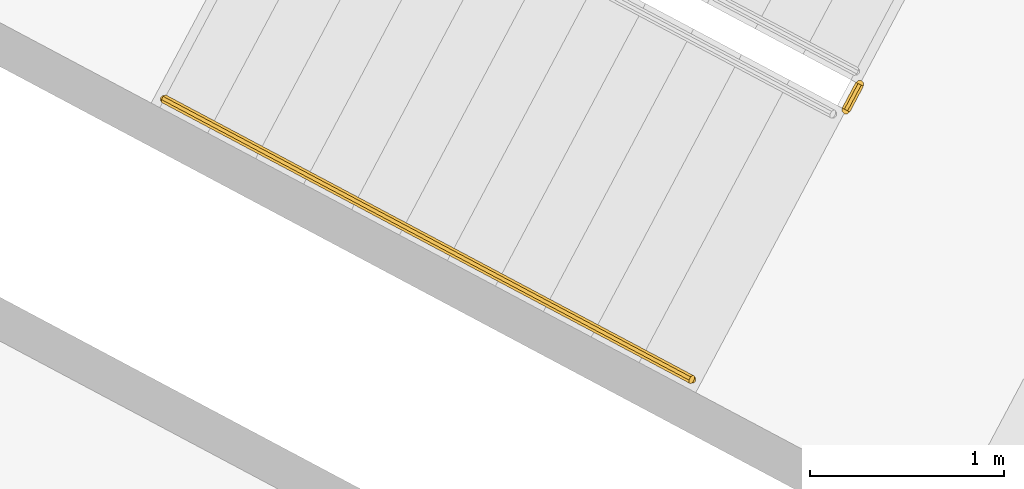
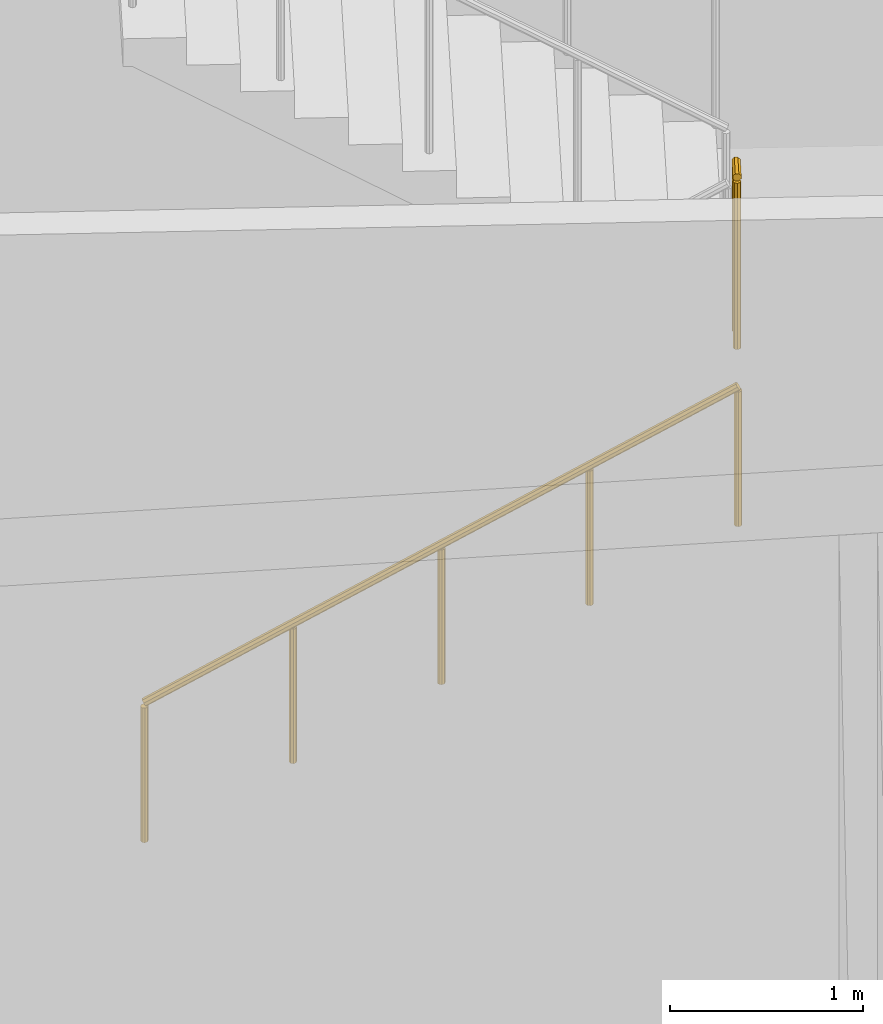
# One storey, part 13 of 16: 2 railings.
"""IFC4 building model written with IfcOpenShell, lengths in metres."""

from ifc_helpers import new_model, si_unit, direction, frame, origin, place, context, subcontext, project, spatial, polyline, outline, extrude, material, type_object, element, save


model = new_model("IFC4")

# Units and contexts
model_context = context("Model", 3, precision=1e-05, world=origin(), true_north=direction((0.0, 1.0)))
body_context = subcontext(model_context, "Body", "Model", "MODEL_VIEW")
ifc_project = project(units=[si_unit("LENGTHUNIT", "METRE"), si_unit("AREAUNIT", "SQUARE_METRE"), si_unit("VOLUMEUNIT", "CUBIC_METRE"), si_unit("PLANEANGLEUNIT", "RADIAN"), si_unit("MASSUNIT", "GRAM", prefix="KILO")], contexts=[model_context])

# Site, building, storey
site_placement = place(None, origin())
site = spatial("IfcSite", under=ifc_project, at=site_placement, CompositionType="ELEMENT")
building_placement = place(site_placement, origin())
building = spatial("IfcBuilding", under=site, at=building_placement, Name="Cormorant Relay Tower", CompositionType="ELEMENT")
storey_placement = place(building_placement, frame((0.0, 0.0, 340.800048828125)))
storey = spatial("IfcBuildingStorey", under=building, at=storey_placement, Name="C4", CompositionType="ELEMENT", Elevation=340.800048828125)

# Railings
ifc_material_1 = material(Name="Steel ASTM A572 Grade 50 (Fy 345 MPa)", Category="steel")
railing_type_1 = type_object("IfcRailingType", Name="Stair guard 1100", PredefinedType="GUARDRAIL", material=ifc_material_1)
railing_1_placement = place(storey_placement, frame((-17.96337890625, 17.592529296875, 2.099853515625)))
element("IfcRailing", 1, at=railing_1_placement, inside=storey, type_object=railing_type_1, Name="C4 A1 stair guard 2", PredefinedType="GUARDRAIL", context=body_context, shape_type="SweptSolid", body=[
    extrude(outline(polyline([(0.022216796875, 0.00927734375), (0.00927734375, 0.022216796875), (-0.00927734375, 0.022216796875), (-0.022216796875, 0.00927734375), (-0.022216796875, -0.00927734375), (-0.00927734375, -0.022216796875), (0.00927734375, -0.022216796875), (0.022216796875, -0.00927734375), (0.022216796875, 0.00927734375)])), frame((0.0, 0.0, 1.076171875), z_axis=(0.46856034887, 0.8834314911, 0.0), x_axis=(-0.8834314911, 0.46856034887, 0.0)), (0.0, 0.0, 1.0), 0.150146484375),
    extrude(outline(polyline([(0.019287109375, 0.008056640625), (0.008056640625, 0.019287109375), (-0.008056640625, 0.019287109375), (-0.019287109375, 0.008056640625), (-0.019287109375, -0.008056640625), (-0.008056640625, -0.019287109375), (0.008056640625, -0.019287109375), (0.019287109375, -0.008056640625), (0.019287109375, 0.008056640625)])), origin(), (0.0, 0.0, 1.0), 1.052001953125),
    extrude(outline(polyline([(0.019287109375, 0.008056640625), (0.008056640625, 0.019287109375), (-0.008056640625, 0.019287109375), (-0.019287109375, 0.008056640625), (-0.019287109375, -0.008056640625), (-0.008056640625, -0.019287109375), (0.008056640625, -0.019287109375), (0.019287109375, -0.008056640625), (0.019287109375, 0.008056640625)])), frame((0.0703125, 0.132568359375, 0.0)), (0.0, 0.0, 1.0), 1.052001953125),
])
ifc_material_2 = material(Name="Steel ASTM A572 Grade 50 (Fy 345 MPa)", Category="steel")
railing_type_2 = type_object("IfcRailingType", Name="Stair handrail 900", PredefinedType="HANDRAIL", material=ifc_material_2)
railing_2_placement = place(storey_placement, frame((-21.478271484375, 17.6494140625, 0.175048828125)))
element("IfcRailing", 2, at=railing_2_placement, inside=storey, type_object=railing_type_2, Name="C4 A1 stair handrail 1", PredefinedType="HANDRAIL", context=body_context, shape_type="SweptSolid", body=[
    extrude(outline(polyline([(0.022216796875, 0.00927734375), (0.00927734375, 0.022216796875), (-0.00927734375, 0.022216796875), (-0.022216796875, 0.00927734375), (-0.022216796875, -0.00927734375), (-0.00927734375, -0.022216796875), (0.00927734375, -0.022216796875), (0.022216796875, -0.00927734375), (0.022216796875, 0.00927734375)])), frame((0.0, 0.0, 0.8759765625), z_axis=(0.748753913104, -0.39813891977, 0.529955637931), x_axis=(0.469489399267, 0.882938108802, 0.0)), (0.0, 0.0, 1.0), 3.632080078125),
    extrude(outline(polyline([(0.019287109375, 0.008056640625), (0.008056640625, 0.019287109375), (-0.008056640625, 0.019287109375), (-0.019287109375, 0.008056640625), (-0.019287109375, -0.008056640625), (-0.008056640625, -0.019287109375), (0.008056640625, -0.019287109375), (0.019287109375, -0.008056640625), (0.019287109375, 0.008056640625)])), origin(), (0.0, 0.0, 1.0), 0.851806640625),
    extrude(outline(polyline([(0.019287109375, 0.008056640625), (0.008056640625, 0.019287109375), (-0.008056640625, 0.019287109375), (-0.019287109375, 0.008056640625), (-0.019287109375, -0.008056640625), (-0.008056640625, -0.019287109375), (0.008056640625, -0.019287109375), (0.019287109375, -0.008056640625), (0.019287109375, 0.008056640625)])), frame((0.679931640625, -0.361572265625, 0.481201171875)), (0.0, 0.0, 1.0), 0.851806640625),
    extrude(outline(polyline([(0.019287109375, 0.008056640625), (0.008056640625, 0.019287109375), (-0.008056640625, 0.019287109375), (-0.019287109375, 0.008056640625), (-0.019287109375, -0.008056640625), (-0.008056640625, -0.019287109375), (0.008056640625, -0.019287109375), (0.019287109375, -0.008056640625), (0.019287109375, 0.008056640625)])), frame((1.35986328125, -0.72314453125, 0.96240234375)), (0.0, 0.0, 1.0), 0.851806640625),
    extrude(outline(polyline([(0.019287109375, 0.008056640625), (0.008056640625, 0.019287109375), (-0.008056640625, 0.019287109375), (-0.019287109375, 0.008056640625), (-0.019287109375, -0.008056640625), (-0.008056640625, -0.019287109375), (0.008056640625, -0.019287109375), (0.019287109375, -0.008056640625), (0.019287109375, 0.008056640625)])), frame((2.03955078125, -1.08447265625, 1.443603515625)), (0.0, 0.0, 1.0), 0.851806640625),
    extrude(outline(polyline([(0.019287109375, 0.008056640625), (0.008056640625, 0.019287109375), (-0.008056640625, 0.019287109375), (-0.019287109375, 0.008056640625), (-0.019287109375, -0.008056640625), (-0.008056640625, -0.019287109375), (0.008056640625, -0.019287109375), (0.019287109375, -0.008056640625), (0.019287109375, 0.008056640625)])), frame((2.719482421875, -1.446044921875, 1.9248046875)), (0.0, 0.0, 1.0), 0.851806640625),
])

save(model, "model.ifc")
